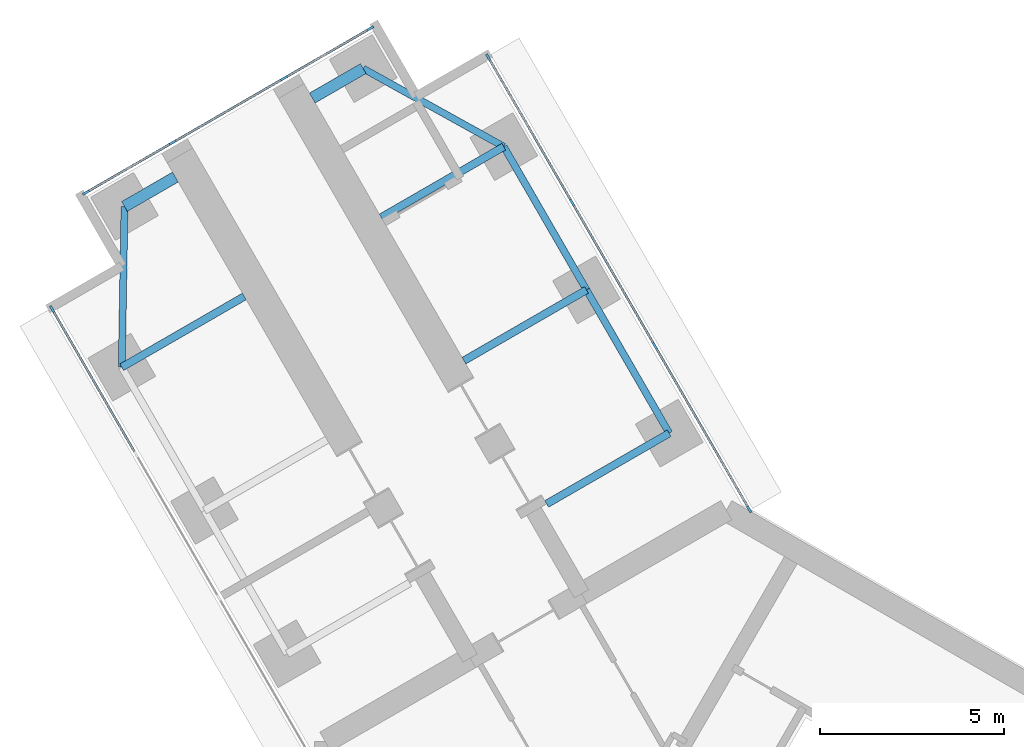
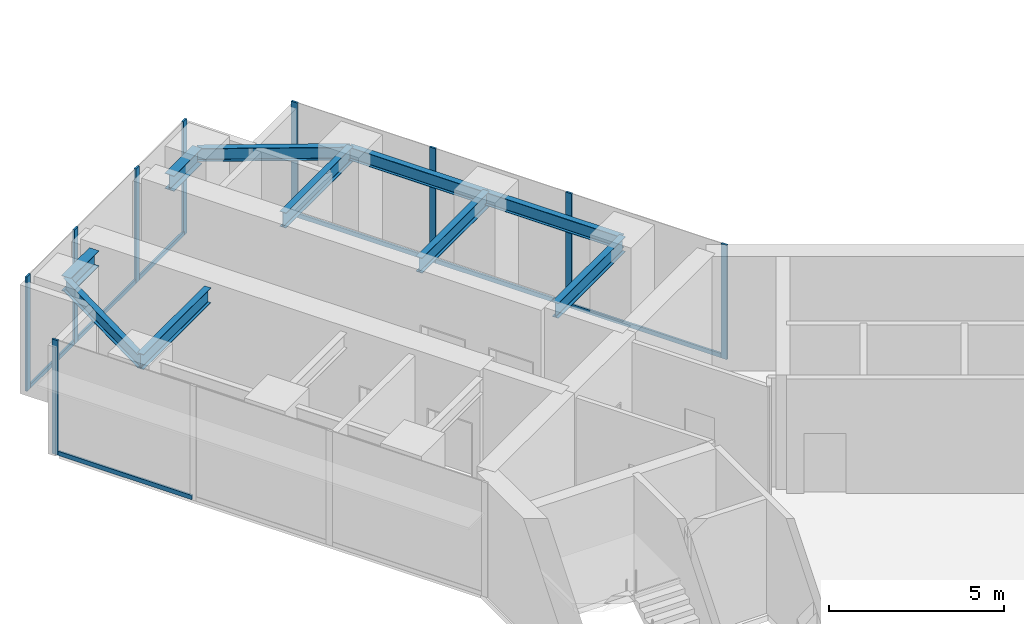
# One storey, part 6 of 21: 16 members, 10 beams, 3 elements without a shape of their own.
"""IFC4 building model written with IfcOpenShell, lengths in metres."""

from ifc_helpers import new_model, si_unit, direction, frame, origin, origin_2d, place, context, subcontext, project, spatial, rectangle, i_section, extrude, material, material_profile, profile_set, type_object, element, aggregate, save


model = new_model("IFC4")

# Units and contexts
model_context = context("Model", 3, precision=1e-05, world=origin(), true_north=direction((0.0, 1.0)))
body_context = subcontext(model_context, "Body", "Model", "MODEL_VIEW")
ifc_project = project(units=[si_unit("LENGTHUNIT", "METRE"), si_unit("AREAUNIT", "SQUARE_METRE"), si_unit("VOLUMEUNIT", "CUBIC_METRE"), si_unit("PLANEANGLEUNIT", "RADIAN"), si_unit("MASSUNIT", "GRAM", prefix="KILO")], contexts=[model_context])

# Site, building, storey
site_placement = place(None, origin())
site = spatial("IfcSite", under=ifc_project, at=site_placement, CompositionType="ELEMENT")
building_placement = place(site_placement, origin())
building = spatial("IfcBuilding", under=site, at=building_placement, Name="Upepo Twin Towers", CompositionType="ELEMENT")
storey_placement = place(building_placement, frame((0.0, 0.0, 105.5)))
storey = spatial("IfcBuildingStorey", under=building, at=storey_placement, Name="L25", CompositionType="ELEMENT", Elevation=105.5)

# Beams
ifc_material_1 = material(Name="Steel S355", Category="steel")
ifc_material_profile_1 = material_profile(ifc_material_1, i_section(OverallWidth=0.1904296875, OverallDepth=0.45703125, WebThickness=0.009033203125, FlangeThickness=0.014404296875, FilletRadius=0.01025390625, at=origin_2d()), Name="UB 457x191x74")
ifc_profile_set_1 = profile_set([ifc_material_profile_1], Name="Steel S355")
beam_type_1 = type_object("IfcBeamType", Name="Beam UB 457x191x74", PredefinedType="BEAM", material=ifc_profile_set_1)
beam_1_placement = place(storey_placement, frame((-16.446044921875, 16.485595703125, 3.571533203125), z_axis=(0.016803880528, 0.999858804832, 0.0), x_axis=(-0.999858804832, 0.016803880528, 0.0)))
element("IfcBeam", 1, at=beam_1_placement, inside=storey, type_object=beam_type_1, Name="T1 nose edge beam BL", PredefinedType="BEAM", context=body_context, shape_type="SweptSolid", body=[
    extrude(i_section(OverallWidth=0.1904296875, OverallDepth=0.45703125, WebThickness=0.009033203125, FlangeThickness=0.014404296875, FilletRadius=0.01025390625, at=origin_2d()), origin(), (0.0, 0.0, 1.0), 4.373291015625),
])
beam_2_placement = place(storey_placement, frame((-1.553955078125, 14.69140625, 3.571533203125), z_axis=(-0.500013631625, 0.866017533419, 0.0), x_axis=(-0.866017533419, -0.500013631625, 0.0)))
element("IfcBeam", 2, at=beam_2_placement, inside=storey, type_object=beam_type_1, Name="T1 edge beam BR 13.5-18.0", PredefinedType="BEAM", context=body_context, shape_type="SweptSolid", body=[
    extrude(i_section(OverallWidth=0.1904296875, OverallDepth=0.45703125, WebThickness=0.009033203125, FlangeThickness=0.014404296875, FilletRadius=0.01025390625, at=origin_2d()), origin(), (0.0, 0.0, 1.0), 4.499755859375),
])
beam_3_placement = place(storey_placement, frame((-3.803955078125, 18.58837890625, 3.571533203125), z_axis=(-0.499990139034, 0.866031096941, 0.0), x_axis=(-0.866031096941, -0.499990139034, 0.0)))
element("IfcBeam", 3, at=beam_3_placement, inside=storey, type_object=beam_type_1, Name="T1 edge beam BR 18.0-22.5", PredefinedType="BEAM", context=body_context, shape_type="SweptSolid", body=[
    extrude(i_section(OverallWidth=0.1904296875, OverallDepth=0.45703125, WebThickness=0.009033203125, FlangeThickness=0.014404296875, FilletRadius=0.01025390625, at=origin_2d()), origin(), (0.0, 0.0, 1.0), 4.5),
])
beam_4_placement = place(storey_placement, frame((-6.053955078125, 22.485595703125, 3.571533203125), z_axis=(-0.874312600038, 0.485363242752, 0.0), x_axis=(-0.485363242752, -0.874312600038, 0.0)))
element("IfcBeam", 4, at=beam_4_placement, inside=storey, type_object=beam_type_1, Name="T1 nose edge beam BR", PredefinedType="BEAM", context=body_context, shape_type="SweptSolid", body=[
    extrude(i_section(OverallWidth=0.1904296875, OverallDepth=0.45703125, WebThickness=0.009033203125, FlangeThickness=0.014404296875, FilletRadius=0.01025390625, at=origin_2d()), origin(), (0.0, 0.0, 1.0), 4.373046875),
])
ifc_material_2 = material(Name="Steel S355", Category="steel")
ifc_material_profile_2 = material_profile(ifc_material_2, i_section(OverallWidth=0.209228515625, OverallDepth=0.533203125, WebThickness=0.010009765625, FlangeThickness=0.015625, FilletRadius=0.0126953125, at=origin_2d()), Name="UB 533x210x92")
ifc_profile_set_2 = profile_set([ifc_material_profile_2], Name="Steel S355")
beam_type_2 = type_object("IfcBeamType", Name="Beam UB 533x210x92", PredefinedType="BEAM", material=ifc_profile_set_2)
for number, where, z_axis, x_axis, name in (
    (5, (-16.446044921875, 16.485595703125, 3.533447265625), (0.866006051527, 0.500033517596, 0.0), (-0.500033517596, 0.866006051527, 0.0), "T1 girder BL at 22.5"),
    (6, (-1.553955078125, 14.69140625, 3.533447265625), (-0.866006051527, -0.500033517596, 0.0), (0.500033517596, -0.866006051527, 0.0), "T1 girder BR at 13.5"),
):
    element("IfcBeam", number, at=place(storey_placement, frame(where, z_axis=z_axis, x_axis=x_axis)), inside=storey, type_object=beam_type_2, Name=name, PredefinedType="BEAM", context=body_context, shape_type="SweptSolid", body=[
        extrude(i_section(OverallWidth=0.209228515625, OverallDepth=0.533203125, WebThickness=0.010009765625, FlangeThickness=0.015625, FilletRadius=0.0126953125, at=origin_2d()), origin(), (0.0, 0.0, 1.0), 3.849853515625),
    ])
beam_5_placement = place(storey_placement, frame((-3.803955078125, 18.58837890625, 3.533447265625), z_axis=(-0.866033512162, -0.499985955615, 0.0), x_axis=(0.499985955615, -0.866033512162, 0.0)))
element("IfcBeam", 7, at=beam_5_placement, inside=storey, type_object=beam_type_2, Name="T1 girder BR at 18.0", PredefinedType="BEAM", context=body_context, shape_type="SweptSolid", body=[
    extrude(i_section(OverallWidth=0.209228515625, OverallDepth=0.533203125, WebThickness=0.010009765625, FlangeThickness=0.015625, FilletRadius=0.0126953125, at=origin_2d()), origin(), (0.0, 0.0, 1.0), 3.849609375),
])
beam_6_placement = place(storey_placement, frame((-6.053955078125, 22.485595703125, 3.533447265625), z_axis=(-0.866006051527, -0.500033517596, 0.0), x_axis=(0.500033517596, -0.866006051527, 0.0)))
element("IfcBeam", 8, at=beam_6_placement, inside=storey, type_object=beam_type_2, Name="T1 girder BR at 22.5", PredefinedType="BEAM", context=body_context, shape_type="SweptSolid", body=[
    extrude(i_section(OverallWidth=0.209228515625, OverallDepth=0.533203125, WebThickness=0.010009765625, FlangeThickness=0.015625, FilletRadius=0.0126953125, at=origin_2d()), origin(), (0.0, 0.0, 1.0), 3.849853515625),
])
ifc_material_3 = material(Name="Steel S355", Category="steel")
ifc_material_profile_3 = material_profile(ifc_material_3, i_section(OverallWidth=0.31201171875, OverallDepth=0.54345703125, WebThickness=0.0126953125, FlangeThickness=0.020263671875, FilletRadius=0.0126953125, at=origin_2d()), Name="UB 533x312x150")
ifc_profile_set_3 = profile_set([ifc_material_profile_3], Name="Steel S355")
beam_type_3 = type_object("IfcBeamType", Name="Beam UB 533x312x150", PredefinedType="BEAM", material=ifc_profile_set_3)
for number, where, z_axis, x_axis, name in (
    (9, (-16.37255859375, 20.858154296875, 3.5283203125), (0.865989903783, 0.500061482766, 0.0), (-0.500061482766, 0.865989903783, 0.0), "T1 nose beam BL"),
    (10, (-9.87744140625, 24.608154296875, 3.5283203125), (-0.865989903783, -0.500061482766, 0.0), (0.500061482766, -0.865989903783, 0.0), "T1 nose beam BR"),
):
    element("IfcBeam", number, at=place(storey_placement, frame(where, z_axis=z_axis, x_axis=x_axis)), inside=storey, type_object=beam_type_3, Name=name, PredefinedType="BEAM", context=body_context, shape_type="SweptSolid", body=[
        extrude(i_section(OverallWidth=0.31201171875, OverallDepth=0.54345703125, WebThickness=0.0126953125, FlangeThickness=0.020263671875, FilletRadius=0.0126953125, at=origin_2d()), origin(), (0.0, 0.0, 1.0), 1.599853515625),
    ])

# Curtain wall, member
ifc_material_4 = material(Name="Aluminium and fritted glass", Category="aluminium")
curtain_wall_type = type_object("IfcCurtainWallType", Name="Tower curtain wall TW2, fritted glass", PredefinedType="NOTDEFINED", material=ifc_material_4)
curtain_wall_1_placement = place(storey_placement, origin())
curtain_wall_1 = element("IfcCurtainWall", 11, at=curtain_wall_1_placement, inside=storey, type_object=curtain_wall_type, Name="T1 L25 wing B flank L curtain wall", PredefinedType="NOTDEFINED")
ifc_material_5 = material(Name="Aluminium mullion", Category="aluminium")
ifc_material_profile_4 = material_profile(ifc_material_5, rectangle(XDim=0.06494140625, YDim=0.199951171875, at=origin_2d()), Name="MULLION 65x200")
ifc_profile_set_4 = profile_set([ifc_material_profile_4], Name="Aluminium mullion")
member_type_1 = type_object("IfcMemberType", Name="Mullion 65x200 TW2", PredefinedType="MULLION", material=ifc_profile_set_4)
member_1_placement = place(storey_placement, frame((-18.341064453125, 18.067626953125, 0.0), z_axis=(0.0, 0.0, 1.0), x_axis=(-0.866025397833, -0.500000010308, 0.0)))
member_1 = element("IfcMember", 12, at=member_1_placement, type_object=member_type_1, Name="T1 L25 wing B flank L curtain wall mullion 4", PredefinedType="MULLION", context=body_context, shape_type="SweptSolid", body=[
    extrude(rectangle(XDim=0.06494140625, YDim=0.199951171875, at=origin_2d()), origin(), (0.0, 0.0, 1.0), 4.0),
])

# Curtain wall, members
curtain_wall_2_placement = place(storey_placement, origin())
curtain_wall_2 = element("IfcCurtainWall", 13, at=curtain_wall_2_placement, inside=storey, type_object=curtain_wall_type, Name="T1 L25 wing B flank R curtain wall", PredefinedType="NOTDEFINED")
member_2_placement = place(storey_placement, frame((-6.4765625, 24.91748046875, 0.0), z_axis=(0.0, 0.0, 1.0), x_axis=(0.866025397833, 0.500000010308, 0.0)))
member_2 = element("IfcMember", 14, at=member_2_placement, type_object=member_type_1, Name="T1 L25 wing B flank R curtain wall mullion 1", PredefinedType="MULLION", context=body_context, shape_type="SweptSolid", body=[
    extrude(rectangle(XDim=0.06494140625, YDim=0.199951171875, at=origin_2d()), origin(), (0.0, 0.0, 1.0), 4.0),
])
member_3_placement = place(storey_placement, frame((-4.192626953125, 20.9619140625, 0.0), z_axis=(0.0, 0.0, 1.0), x_axis=(0.866025397833, 0.500000010308, 0.0)))
member_3 = element("IfcMember", 15, at=member_3_placement, type_object=member_type_1, Name="T1 L25 wing B flank R curtain wall mullion 2", PredefinedType="MULLION", context=body_context, shape_type="SweptSolid", body=[
    extrude(rectangle(XDim=0.06494140625, YDim=0.199951171875, at=origin_2d()), origin(), (0.0, 0.0, 1.0), 4.0),
])
member_4_placement = place(storey_placement, frame((-1.942626953125, 17.06494140625, 0.0), z_axis=(0.0, 0.0, 1.0), x_axis=(0.866025397833, 0.500000010308, 0.0)))
member_4 = element("IfcMember", 16, at=member_4_placement, type_object=member_type_1, Name="T1 L25 wing B flank R curtain wall mullion 3", PredefinedType="MULLION", context=body_context, shape_type="SweptSolid", body=[
    extrude(rectangle(XDim=0.06494140625, YDim=0.199951171875, at=origin_2d()), origin(), (0.0, 0.0, 1.0), 4.0),
])
member_5_placement = place(storey_placement, frame((0.62255859375, 12.621826171875, 0.0), z_axis=(0.0, 0.0, 1.0), x_axis=(0.866025397833, 0.500000010308, 0.0)))
member_5 = element("IfcMember", 17, at=member_5_placement, type_object=member_type_1, Name="T1 L25 wing B flank R curtain wall mullion 4", PredefinedType="MULLION", context=body_context, shape_type="SweptSolid", body=[
    extrude(rectangle(XDim=0.06494140625, YDim=0.199951171875, at=origin_2d()), origin(), (0.0, 0.0, 1.0), 4.0),
])

curtain_wall_3_placement = place(storey_placement, origin())
curtain_wall_3 = element("IfcCurtainWall", 18, at=curtain_wall_3_placement, inside=storey, type_object=curtain_wall_type, Name="T1 L25 wing B nose curtain wall", PredefinedType="NOTDEFINED")
member_6_placement = place(storey_placement, frame((-9.68115234375, 25.703125, 0.0), z_axis=(0.0, 0.0, 1.0), x_axis=(0.500000030502, -0.866025386174, 0.0)))
member_6 = element("IfcMember", 19, at=member_6_placement, type_object=member_type_1, Name="T1 L25 wing B nose curtain wall mullion 1", PredefinedType="MULLION", context=body_context, shape_type="SweptSolid", body=[
    extrude(rectangle(XDim=0.06494140625, YDim=0.199951171875, at=origin_2d()), origin(), (0.0, 0.0, 1.0), 4.0),
])
member_7_placement = place(storey_placement, frame((-12.034423828125, 24.34423828125, 0.0), z_axis=(0.0, 0.0, 1.0), x_axis=(0.500000030502, -0.866025386174, 0.0)))
member_7 = element("IfcMember", 20, at=member_7_placement, type_object=member_type_1, Name="T1 L25 wing B nose curtain wall mullion 2", PredefinedType="MULLION", context=body_context, shape_type="SweptSolid", body=[
    extrude(rectangle(XDim=0.06494140625, YDim=0.199951171875, at=origin_2d()), origin(), (0.0, 0.0, 1.0), 4.0),
])
member_8_placement = place(storey_placement, frame((-15.0654296875, 22.59423828125, 0.0), z_axis=(0.0, 0.0, 1.0), x_axis=(0.500000030502, -0.866025386174, 0.0)))
member_8 = element("IfcMember", 21, at=member_8_placement, type_object=member_type_1, Name="T1 L25 wing B nose curtain wall mullion 3", PredefinedType="MULLION", context=body_context, shape_type="SweptSolid", body=[
    extrude(rectangle(XDim=0.06494140625, YDim=0.199951171875, at=origin_2d()), origin(), (0.0, 0.0, 1.0), 4.0),
])
member_9_placement = place(storey_placement, frame((-17.4189453125, 21.235595703125, 0.0), z_axis=(0.0, 0.0, 1.0), x_axis=(0.500000030502, -0.866025386174, 0.0)))
member_9 = element("IfcMember", 22, at=member_9_placement, type_object=member_type_1, Name="T1 L25 wing B nose curtain wall mullion 4", PredefinedType="MULLION", context=body_context, shape_type="SweptSolid", body=[
    extrude(rectangle(XDim=0.06494140625, YDim=0.199951171875, at=origin_2d()), origin(), (0.0, 0.0, 1.0), 4.0),
])

# Member
ifc_material_6 = material(Name="Aluminium transom", Category="aluminium")
ifc_material_profile_5 = material_profile(ifc_material_6, rectangle(XDim=0.06494140625, YDim=0.14990234375, at=origin_2d()), Name="TRANSOM 65x150")
ifc_profile_set_5 = profile_set([ifc_material_profile_5], Name="Aluminium transom")
member_type_2 = type_object("IfcMemberType", Name="Transom 65x150 TW2", PredefinedType="USERDEFINED", material=ifc_profile_set_5)
member_10_placement = place(storey_placement, frame((-16.073486328125, 14.14013671875, 0.074951171875), z_axis=(-0.499982167615, 0.866035699072, 0.0), x_axis=(-0.866035699072, -0.499982167615, 0.0)))
member_10 = element("IfcMember", 23, at=member_10_placement, type_object=member_type_2, Name="T1 L25 wing B flank L curtain wall transom 3", ObjectType="TRANSOM", PredefinedType="USERDEFINED", context=body_context, shape_type="SweptSolid", body=[
    extrude(rectangle(XDim=0.06494140625, YDim=0.14990234375, at=origin_2d()), origin(), (0.0, 0.0, 1.0), 4.502685546875),
])

aggregate(curtain_wall_1, [member_1, member_10])

member_11_placement = place(storey_placement, frame((-6.460205078125, 24.889404296875, 0.074951171875), z_axis=(0.500005646842, -0.866022143554, 0.0), x_axis=(0.866022143554, 0.500005646842, 0.0)))
member_11 = element("IfcMember", 24, at=member_11_placement, type_object=member_type_2, Name="T1 L25 wing B flank R curtain wall transom 1", ObjectType="TRANSOM", PredefinedType="USERDEFINED", context=body_context, shape_type="SweptSolid", body=[
    extrude(rectangle(XDim=0.06494140625, YDim=0.14990234375, at=origin_2d()), origin(), (0.0, 0.0, 1.0), 4.50244140625),
])

member_12_placement = place(storey_placement, frame((-4.176513671875, 20.933837890625, 0.074951171875), z_axis=(0.500005184116, -0.866022410713, 0.0), x_axis=(0.866022410713, 0.500005184116, 0.0)))
member_12 = element("IfcMember", 25, at=member_12_placement, type_object=member_type_2, Name="T1 L25 wing B flank R curtain wall transom 2", ObjectType="TRANSOM", PredefinedType="USERDEFINED", context=body_context, shape_type="SweptSolid", body=[
    extrude(rectangle(XDim=0.06494140625, YDim=0.14990234375, at=origin_2d()), origin(), (0.0, 0.0, 1.0), 4.43505859375),
])

member_13_placement = place(storey_placement, frame((-1.926513671875, 17.036865234375, 0.074951171875), z_axis=(0.499985288567, -0.866033897268, 0.0), x_axis=(0.866033897268, 0.499985288567, 0.0)))
member_13 = element("IfcMember", 26, at=member_13_placement, type_object=member_type_2, Name="T1 L25 wing B flank R curtain wall transom 3", ObjectType="TRANSOM", PredefinedType="USERDEFINED", context=body_context, shape_type="SweptSolid", body=[
    extrude(rectangle(XDim=0.06494140625, YDim=0.14990234375, at=origin_2d()), origin(), (0.0, 0.0, 1.0), 5.065673828125),
])

aggregate(curtain_wall_2, [member_2, member_3, member_4, member_5, member_11, member_12, member_13])

member_14_placement = place(storey_placement, frame((-9.709228515625, 25.686767578125, 0.074951171875), z_axis=(-0.866036909293, -0.499980071345, 0.0), x_axis=(0.499980071345, -0.866036909293, 0.0)))
member_14 = element("IfcMember", 27, at=member_14_placement, type_object=member_type_2, Name="T1 L25 wing B nose curtain wall transom 1", ObjectType="TRANSOM", PredefinedType="USERDEFINED", context=body_context, shape_type="SweptSolid", body=[
    extrude(rectangle(XDim=0.06494140625, YDim=0.14990234375, at=origin_2d()), origin(), (0.0, 0.0, 1.0), 2.65234375),
])

member_15_placement = place(storey_placement, frame((-12.0625, 24.328125, 0.074951171875), z_axis=(-0.866025804792, -0.499999305434, 0.0), x_axis=(0.499999305434, -0.866025804792, 0.0)))
member_15 = element("IfcMember", 28, at=member_15_placement, type_object=member_type_2, Name="T1 L25 wing B nose curtain wall transom 2", ObjectType="TRANSOM", PredefinedType="USERDEFINED", context=body_context, shape_type="SweptSolid", body=[
    extrude(rectangle(XDim=0.06494140625, YDim=0.14990234375, at=origin_2d()), origin(), (0.0, 0.0, 1.0), 3.43505859375),
])

member_16_placement = place(storey_placement, frame((-15.09375, 22.578125, 0.074951171875), z_axis=(-0.865997053448, -0.500049101008, 0.0), x_axis=(0.500049101008, -0.865997053448, 0.0)))
member_16 = element("IfcMember", 29, at=member_16_placement, type_object=member_type_2, Name="T1 L25 wing B nose curtain wall transom 3", ObjectType="TRANSOM", PredefinedType="USERDEFINED", context=body_context, shape_type="SweptSolid", body=[
    extrude(rectangle(XDim=0.06494140625, YDim=0.14990234375, at=origin_2d()), origin(), (0.0, 0.0, 1.0), 2.652587890625),
])

aggregate(curtain_wall_3, [member_6, member_7, member_8, member_9, member_14, member_15, member_16])

save(model, "model.ifc")
